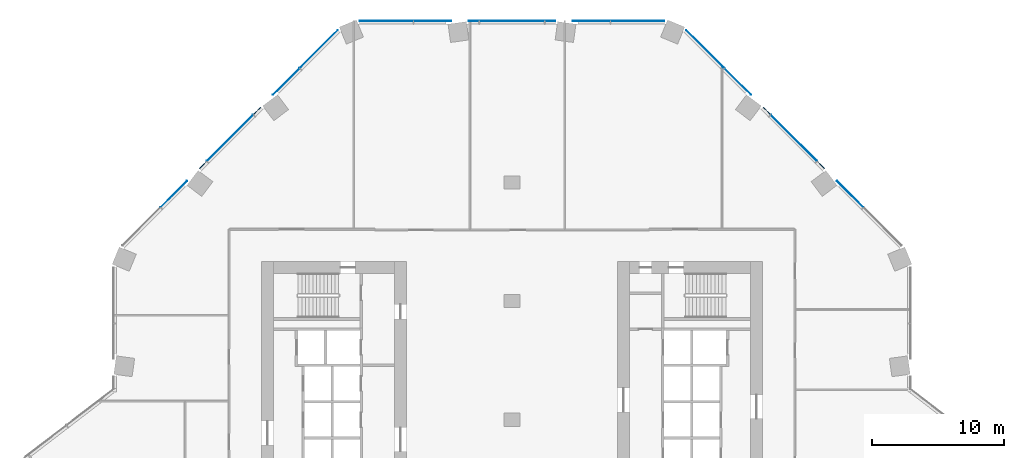
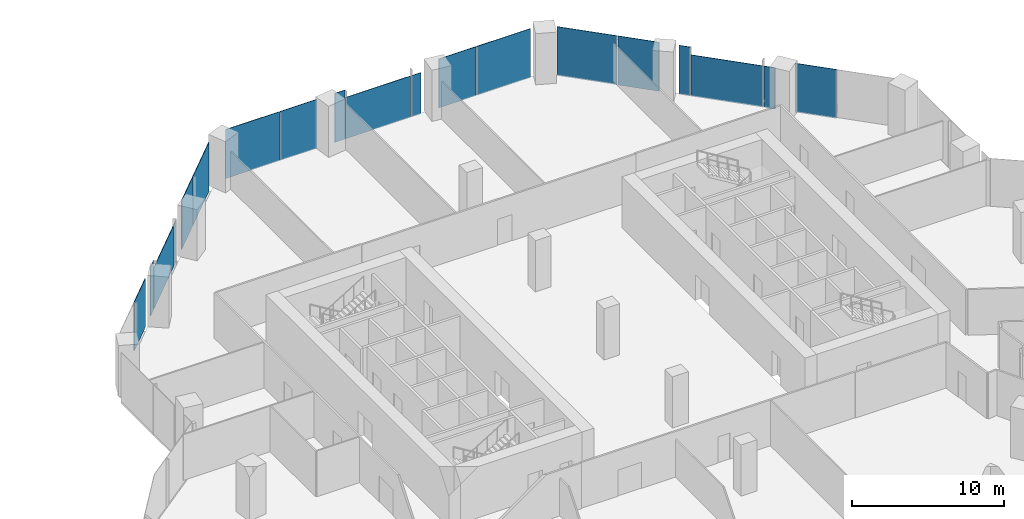
# One storey, part 20 of 29: 19 plates, 3 elements without a shape of their own.
"""IFC4 building model written with IfcOpenShell, lengths in metres."""

from ifc_helpers import new_model, si_unit, direction, frame, origin, origin_2d, place, context, subcontext, project, spatial, rectangle, extrude, material, layer, layer_set, type_object, element, aggregate, save


model = new_model("IFC4")

# Units and contexts
model_context = context("Model", 3, precision=1e-05, world=origin(), true_north=direction((0.0, 1.0)))
body_context = subcontext(model_context, "Body", "Model", "MODEL_VIEW")
ifc_project = project(units=[si_unit("LENGTHUNIT", "METRE"), si_unit("AREAUNIT", "SQUARE_METRE"), si_unit("VOLUMEUNIT", "CUBIC_METRE"), si_unit("PLANEANGLEUNIT", "RADIAN"), si_unit("MASSUNIT", "GRAM", prefix="KILO")], contexts=[model_context])

# Site, building, storey
site_placement = place(None, origin())
site = spatial("IfcSite", under=ifc_project, at=site_placement, CompositionType="ELEMENT")
building_placement = place(site_placement, origin())
building = spatial("IfcBuilding", under=site, at=building_placement, Name="Orlundy Tower", CompositionType="ELEMENT")
storey_placement = place(building_placement, frame((0.0, 0.0, 29.199951171875)))
storey = spatial("IfcBuildingStorey", under=building, at=storey_placement, Name="L05", CompositionType="ELEMENT", Elevation=29.199951171875)

# Curtain wall, plates
ifc_material_1 = material(Name="Aluminium bronze anodised", Category="aluminium")
curtain_wall_type = type_object("IfcCurtainWallType", Name="CW2 wall", PredefinedType="NOTDEFINED", material=ifc_material_1)
curtain_wall_1_placement = place(storey_placement, origin())
curtain_wall_1 = element("IfcCurtainWall", 1, at=curtain_wall_1_placement, inside=storey, type_object=curtain_wall_type, Name="CW2 run 014", PredefinedType="NOTDEFINED")
ifc_material_2 = material(Name="Tinted glass", Category="glass")
ifc_layer = layer(ifc_material_2, 0.0380859375)
ifc_layer_set = layer_set([ifc_layer], Name="CW2 glass panel 38")
plate_type = type_object("IfcPlateType", Name="CW2 glass panel 38", PredefinedType="CURTAIN_PANEL", material=ifc_layer_set)
plate_1_placement = place(storey_placement, frame((-25.63818359375, 17.114501953125, -0.25), z_axis=(0.0, 0.0, 1.0), x_axis=(0.707106781187, 0.707106781187, 0.0)))
plate_1 = element("IfcPlate", 2, at=plate_1_placement, type_object=plate_type, Name="CW2 panel", PredefinedType="CURTAIN_PANEL", context=body_context, shape_type="SweptSolid", body=[
    extrude(rectangle(XDim=2.807861328125, YDim=0.0380859375, at=origin_2d()), origin(), (0.0, 0.0, 1.0), 3.929931640625),
])
plate_2_placement = place(storey_placement, frame((-23.418212890625, 19.33447265625, -0.25), z_axis=(0.0, 0.0, 1.0), x_axis=(0.707106781187, 0.707106781187, 0.0)))
plate_2 = element("IfcPlate", 3, at=plate_2_placement, type_object=plate_type, Name="CW2 panel", PredefinedType="CURTAIN_PANEL", context=body_context, shape_type="SweptSolid", body=[
    extrude(rectangle(XDim=0.754638671875, YDim=0.0380859375, at=origin_2d()), origin(), (0.0, 0.0, 1.0), 3.929931640625),
])
plate_3_placement = place(storey_placement, frame((-21.376220703125, 21.376220703125, -0.25), z_axis=(0.0, 0.0, 1.0), x_axis=(0.707106781187, 0.707106781187, 0.0)))
plate_3 = element("IfcPlate", 4, at=plate_3_placement, type_object=plate_type, Name="CW2 panel", PredefinedType="CURTAIN_PANEL", context=body_context, shape_type="SweptSolid", body=[
    extrude(rectangle(XDim=4.920654296875, YDim=0.0380859375, at=origin_2d()), origin(), (0.0, 0.0, 1.0), 3.31396484375),
])
plate_4_placement = place(storey_placement, frame((-19.33447265625, 23.418212890625, -0.25), z_axis=(0.0, 0.0, 1.0), x_axis=(0.707106781187, 0.707106781187, 0.0)))
plate_4 = element("IfcPlate", 5, at=plate_4_placement, type_object=plate_type, Name="CW2 panel", PredefinedType="CURTAIN_PANEL", context=body_context, shape_type="SweptSolid", body=[
    extrude(rectangle(XDim=0.754638671875, YDim=0.0380859375, at=origin_2d()), origin(), (0.0, 0.0, 1.0), 3.31396484375),
])
plate_5_placement = place(storey_placement, frame((-17.114501953125, 25.63818359375, -0.25), z_axis=(0.0, 0.0, 1.0), x_axis=(0.707106781187, 0.707106781187, 0.0)))
plate_5 = element("IfcPlate", 6, at=plate_5_placement, type_object=plate_type, Name="CW2 panel", PredefinedType="CURTAIN_PANEL", context=body_context, shape_type="SweptSolid", body=[
    extrude(rectangle(XDim=2.807861328125, YDim=0.0380859375, at=origin_2d()), origin(), (0.0, 0.0, 1.0), 3.929931640625),
])
plate_6_placement = place(storey_placement, frame((-14.648681640625, 28.10400390625, -0.25), z_axis=(0.0, 0.0, 1.0), x_axis=(0.707106781187, 0.707106781187, 0.0)))
plate_6 = element("IfcPlate", 7, at=plate_6_placement, type_object=plate_type, Name="CW2 panel", PredefinedType="CURTAIN_PANEL", context=body_context, shape_type="SweptSolid", body=[
    extrude(rectangle(XDim=4.066650390625, YDim=0.0380859375, at=origin_2d()), origin(), (0.0, 0.0, 1.0), 3.929931640625),
])
aggregate(curtain_wall_1, [plate_1, plate_2, plate_3, plate_4, plate_5, plate_6])

curtain_wall_2_placement = place(storey_placement, origin())
curtain_wall_2 = element("IfcCurtainWall", 8, at=curtain_wall_2_placement, inside=storey, type_object=curtain_wall_type, Name="CW2 run 015", PredefinedType="NOTDEFINED")
plate_7_placement = place(storey_placement, frame((-9.514404296875, 30.23095703125, -0.25), z_axis=(0.0, 0.0, 1.0), x_axis=(1.0, 0.0, 0.0)))
plate_7 = element("IfcPlate", 9, at=plate_7_placement, type_object=plate_type, Name="CW2 panel", PredefinedType="CURTAIN_PANEL", context=body_context, shape_type="SweptSolid", body=[
    extrude(rectangle(XDim=4.0673828125, YDim=0.0380859375, at=origin_2d()), origin(), (0.0, 0.0, 1.0), 3.929931640625),
])
plate_8_placement = place(storey_placement, frame((-6.025634765625, 30.23095703125, -0.25), z_axis=(0.0, 0.0, 1.0), x_axis=(1.0, 0.0, 0.0)))
plate_8 = element("IfcPlate", 10, at=plate_8_placement, type_object=plate_type, Name="CW2 panel", PredefinedType="CURTAIN_PANEL", context=body_context, shape_type="SweptSolid", body=[
    extrude(rectangle(XDim=2.81005859375, YDim=0.0380859375, at=origin_2d()), origin(), (0.0, 0.0, 1.0), 3.929931640625),
])
plate_9_placement = place(storey_placement, frame((-2.8876953125, 30.23095703125, -0.25), z_axis=(0.0, 0.0, 1.0), x_axis=(1.0, 0.0, 0.0)))
plate_9 = element("IfcPlate", 11, at=plate_9_placement, type_object=plate_type, Name="CW2 panel", PredefinedType="CURTAIN_PANEL", context=body_context, shape_type="SweptSolid", body=[
    extrude(rectangle(XDim=0.7548828125, YDim=0.0380859375, at=origin_2d()), origin(), (0.0, 0.0, 1.0), 3.929931640625),
])
plate_10_placement = place(storey_placement, frame((0.0, 30.23095703125, -0.25), z_axis=(0.0, 0.0, 1.0), x_axis=(1.0, 0.0, 0.0)))
plate_10 = element("IfcPlate", 12, at=plate_10_placement, type_object=plate_type, Name="CW2 panel", PredefinedType="CURTAIN_PANEL", context=body_context, shape_type="SweptSolid", body=[
    extrude(rectangle(XDim=4.92041015625, YDim=0.0380859375, at=origin_2d()), origin(), (0.0, 0.0, 1.0), 3.31396484375),
])
plate_11_placement = place(storey_placement, frame((2.8876953125, 30.23095703125, -0.25), z_axis=(0.0, 0.0, 1.0), x_axis=(1.0, 0.0, 0.0)))
plate_11 = element("IfcPlate", 13, at=plate_11_placement, type_object=plate_type, Name="CW2 panel", PredefinedType="CURTAIN_PANEL", context=body_context, shape_type="SweptSolid", body=[
    extrude(rectangle(XDim=0.7548828125, YDim=0.0380859375, at=origin_2d()), origin(), (0.0, 0.0, 1.0), 3.31396484375),
])
plate_12_placement = place(storey_placement, frame((6.025634765625, 30.23095703125, -0.25), z_axis=(0.0, 0.0, 1.0), x_axis=(1.0, 0.0, 0.0)))
plate_12 = element("IfcPlate", 14, at=plate_12_placement, type_object=plate_type, Name="CW2 panel", PredefinedType="CURTAIN_PANEL", context=body_context, shape_type="SweptSolid", body=[
    extrude(rectangle(XDim=2.81005859375, YDim=0.0380859375, at=origin_2d()), origin(), (0.0, 0.0, 1.0), 3.929931640625),
])
plate_13_placement = place(storey_placement, frame((9.514404296875, 30.23095703125, -0.25), z_axis=(0.0, 0.0, 1.0), x_axis=(1.0, 0.0, 0.0)))
plate_13 = element("IfcPlate", 15, at=plate_13_placement, type_object=plate_type, Name="CW2 panel", PredefinedType="CURTAIN_PANEL", context=body_context, shape_type="SweptSolid", body=[
    extrude(rectangle(XDim=4.0673828125, YDim=0.0380859375, at=origin_2d()), origin(), (0.0, 0.0, 1.0), 3.929931640625),
])
aggregate(curtain_wall_2, [plate_7, plate_8, plate_9, plate_10, plate_11, plate_12, plate_13])

curtain_wall_3_placement = place(storey_placement, origin())
curtain_wall_3 = element("IfcCurtainWall", 16, at=curtain_wall_3_placement, inside=storey, type_object=curtain_wall_type, Name="CW2 run 016", PredefinedType="NOTDEFINED")
plate_14_placement = place(storey_placement, frame((14.648681640625, 28.10400390625, -0.25), z_axis=(0.0, 0.0, 1.0), x_axis=(0.707106781187, -0.707106781187, 0.0)))
plate_14 = element("IfcPlate", 17, at=plate_14_placement, type_object=plate_type, Name="CW2 panel", PredefinedType="CURTAIN_PANEL", context=body_context, shape_type="SweptSolid", body=[
    extrude(rectangle(XDim=4.066650390625, YDim=0.0380859375, at=origin_2d()), origin(), (0.0, 0.0, 1.0), 3.929931640625),
])
plate_15_placement = place(storey_placement, frame((17.114501953125, 25.63818359375, -0.25), z_axis=(0.0, 0.0, 1.0), x_axis=(0.707106781187, -0.707106781187, 0.0)))
plate_15 = element("IfcPlate", 18, at=plate_15_placement, type_object=plate_type, Name="CW2 panel", PredefinedType="CURTAIN_PANEL", context=body_context, shape_type="SweptSolid", body=[
    extrude(rectangle(XDim=2.807861328125, YDim=0.0380859375, at=origin_2d()), origin(), (0.0, 0.0, 1.0), 3.929931640625),
])
plate_16_placement = place(storey_placement, frame((19.33447265625, 23.418212890625, -0.25), z_axis=(0.0, 0.0, 1.0), x_axis=(0.707106781187, -0.707106781187, 0.0)))
plate_16 = element("IfcPlate", 19, at=plate_16_placement, type_object=plate_type, Name="CW2 panel", PredefinedType="CURTAIN_PANEL", context=body_context, shape_type="SweptSolid", body=[
    extrude(rectangle(XDim=0.754638671875, YDim=0.0380859375, at=origin_2d()), origin(), (0.0, 0.0, 1.0), 3.929931640625),
])
plate_17_placement = place(storey_placement, frame((21.376220703125, 21.376220703125, -0.25), z_axis=(0.0, 0.0, 1.0), x_axis=(0.707106781187, -0.707106781187, 0.0)))
plate_17 = element("IfcPlate", 20, at=plate_17_placement, type_object=plate_type, Name="CW2 panel", PredefinedType="CURTAIN_PANEL", context=body_context, shape_type="SweptSolid", body=[
    extrude(rectangle(XDim=4.920654296875, YDim=0.0380859375, at=origin_2d()), origin(), (0.0, 0.0, 1.0), 3.31396484375),
])
plate_18_placement = place(storey_placement, frame((23.418212890625, 19.33447265625, -0.25), z_axis=(0.0, 0.0, 1.0), x_axis=(0.707106781187, -0.707106781187, 0.0)))
plate_18 = element("IfcPlate", 21, at=plate_18_placement, type_object=plate_type, Name="CW2 panel", PredefinedType="CURTAIN_PANEL", context=body_context, shape_type="SweptSolid", body=[
    extrude(rectangle(XDim=0.754638671875, YDim=0.0380859375, at=origin_2d()), origin(), (0.0, 0.0, 1.0), 3.31396484375),
])
plate_19_placement = place(storey_placement, frame((25.63818359375, 17.114501953125, -0.25), z_axis=(0.0, 0.0, 1.0), x_axis=(0.707106781187, -0.707106781187, 0.0)))
plate_19 = element("IfcPlate", 22, at=plate_19_placement, type_object=plate_type, Name="CW2 panel", PredefinedType="CURTAIN_PANEL", context=body_context, shape_type="SweptSolid", body=[
    extrude(rectangle(XDim=2.807861328125, YDim=0.0380859375, at=origin_2d()), origin(), (0.0, 0.0, 1.0), 3.929931640625),
])
aggregate(curtain_wall_3, [plate_14, plate_15, plate_16, plate_17, plate_18, plate_19])

save(model, "model.ifc")
